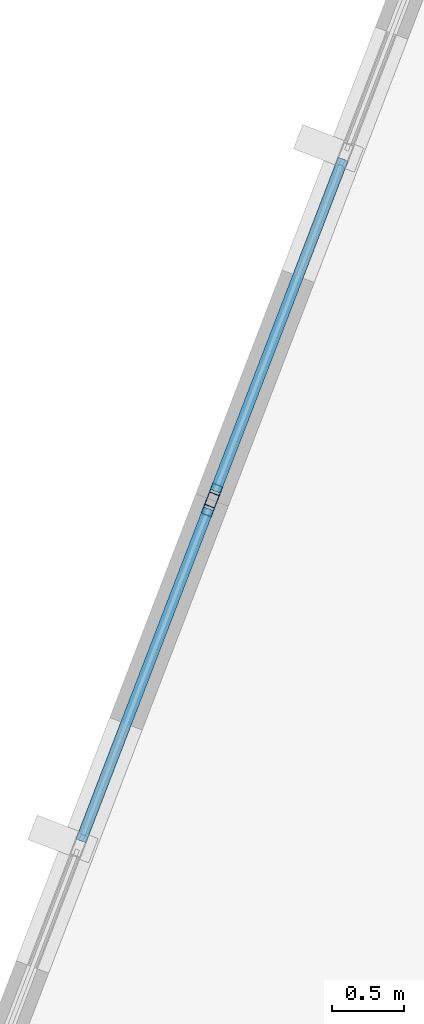
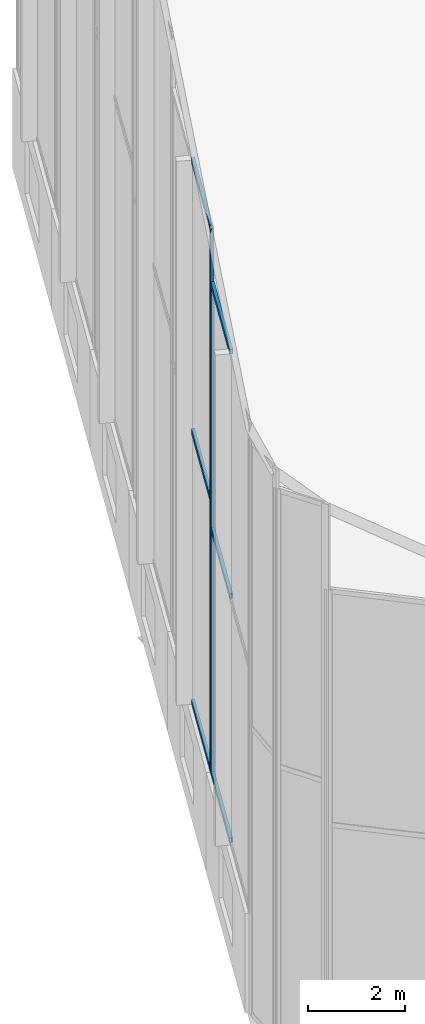
# One storey, part 13 of 74: 8 members, 2 elements without a shape of their own.
"""IFC4 building model written with IfcOpenShell, lengths in metres."""

from ifc_helpers import new_model, si_unit, direction, frame, origin, origin_2d, place, context, subcontext, project, spatial, hollow_rectangle, extrude, material, layer, layer_set, material_profile, profile_set, type_object, element, aggregate, save


model = new_model("IFC4")

# Units and contexts
model_context = context("Model", 3, precision=1e-05, world=origin(), true_north=direction((0.0, 1.0)))
body_context = subcontext(model_context, "Body", "Model", "MODEL_VIEW")
ifc_project = project(units=[si_unit("LENGTHUNIT", "METRE"), si_unit("AREAUNIT", "SQUARE_METRE"), si_unit("VOLUMEUNIT", "CUBIC_METRE"), si_unit("PLANEANGLEUNIT", "RADIAN"), si_unit("MASSUNIT", "GRAM", prefix="KILO")], contexts=[model_context])

# Site, building, storey
site_placement = place(None, origin())
site = spatial("IfcSite", under=ifc_project, at=site_placement, CompositionType="ELEMENT")
building_placement = place(site_placement, origin())
building = spatial("IfcBuilding", under=site, at=building_placement, Name="Keshet Zoharim Tower", CompositionType="ELEMENT")
storey_placement = place(building_placement, frame((0.0, 0.0, 320.0)))
storey = spatial("IfcBuildingStorey", under=building, at=storey_placement, Name="RF", CompositionType="ELEMENT", Elevation=320.0)

# Curtain wall, member
ifc_material = material(Name="Aluminium 6063-T6", Category="aluminium")
ifc_layer = layer(ifc_material, 0.260009765625)
ifc_layer_set = layer_set([ifc_layer], Name="Aluminium 6063-T6")
curtain_wall_type = type_object("IfcCurtainWallType", Name="CW-SYS-06", PredefinedType="NOTDEFINED", material=ifc_layer_set)
curtain_wall_1_placement = place(storey_placement, origin())
curtain_wall_1 = element("IfcCurtainWall", 1, at=curtain_wall_1_placement, inside=storey, type_object=curtain_wall_type, Name="Slanted Crown Curtain Wall 03", PredefinedType="NOTDEFINED")
ifc_material_profile_1 = material_profile(ifc_material, hollow_rectangle(XDim=0.074951171875, YDim=0.159912109375, WallThickness=0.00390625, at=origin_2d()), Name="MUL-75x160")
ifc_profile_set_1 = profile_set([ifc_material_profile_1], Name="Aluminium 6063-T6")
member_type_1 = type_object("IfcMemberType", Name="CWM-M15", PredefinedType="MULLION", material=ifc_profile_set_1)
member_1_placement = place(storey_placement, frame((5.3203125, 28.733642578125, 2.5), z_axis=(0.0, 0.0, 1.0), x_axis=(-0.933345606206, 0.358979079302, 0.0)))
member_1 = element("IfcMember", 2, at=member_1_placement, type_object=member_type_1, Name="CW-06 mullion 3", PredefinedType="MULLION", context=body_context, shape_type="SweptSolid", body=[
    extrude(hollow_rectangle(XDim=0.074951171875, YDim=0.159912109375, WallThickness=0.00390625, at=origin_2d()), origin(), (0.0, 0.0, 1.0), 12.326904296875),
])

curtain_wall_2_placement = place(storey_placement, origin())
curtain_wall_2 = element("IfcCurtainWall", 3, at=curtain_wall_2_placement, inside=storey, type_object=curtain_wall_type, Name="Slanted Crown Curtain Wall 04", PredefinedType="NOTDEFINED")
member_2_placement = place(storey_placement, frame((5.34375, 28.79443359375, 2.5), z_axis=(0.0, 0.0, 1.0), x_axis=(-0.933345606206, 0.358979079302, 0.0)))
member_2 = element("IfcMember", 4, at=member_2_placement, type_object=member_type_1, Name="CW-06 mullion 1", PredefinedType="MULLION", context=body_context, shape_type="SweptSolid", body=[
    extrude(hollow_rectangle(XDim=0.074951171875, YDim=0.159912109375, WallThickness=0.00390625, at=origin_2d()), origin(), (0.0, 0.0, 1.0), 13.654052734375),
])

# Member
ifc_material_profile_2 = material_profile(ifc_material, hollow_rectangle(XDim=0.074951171875, YDim=0.1201171875, WallThickness=0.00390625, at=origin_2d()), Name="TRN-75x120")
ifc_profile_set_2 = profile_set([ifc_material_profile_2], Name="Aluminium 6063-T6")
member_type_2 = type_object("IfcMemberType", Name="CWT-T12", PredefinedType="USERDEFINED", material=ifc_profile_set_2)
member_3_placement = place(storey_placement, frame((4.42626953125, 26.408935546875, 2.532470703125), z_axis=(0.358925837482, 0.933366082086, 0.0), x_axis=(-0.933366082086, 0.358925837482, 0.0)))
member_3 = element("IfcMember", 5, at=member_3_placement, type_object=member_type_2, Name="CW-06 transom 2.1", ObjectType="TRANSOM", PredefinedType="USERDEFINED", context=body_context, shape_type="SweptSolid", body=[
    extrude(hollow_rectangle(XDim=0.074951171875, YDim=0.1201171875, WallThickness=0.00390625, at=origin_2d()), origin(), (0.0, 0.0, 1.0), 2.458251953125),
])

member_4_placement = place(storey_placement, frame((4.42626953125, 26.408935546875, 8.6630859375), z_axis=(0.358925837482, 0.933366082086, 0.0), x_axis=(-0.933366082086, 0.358925837482, 0.0)))
member_4 = element("IfcMember", 6, at=member_4_placement, type_object=member_type_2, Name="CW-06 transom 2.2", ObjectType="TRANSOM", PredefinedType="USERDEFINED", context=body_context, shape_type="SweptSolid", body=[
    extrude(hollow_rectangle(XDim=0.074951171875, YDim=0.1201171875, WallThickness=0.00390625, at=origin_2d()), origin(), (0.0, 0.0, 1.0), 2.458251953125),
])

member_5_placement = place(storey_placement, frame((4.42626953125, 26.408935546875, 14.79443359375), z_axis=(0.358925837482, 0.933366082086, 0.0), x_axis=(-0.933366082086, 0.358925837482, 0.0)))
member_5 = element("IfcMember", 7, at=member_5_placement, type_object=member_type_2, Name="CW-06 transom 2.3", ObjectType="TRANSOM", PredefinedType="USERDEFINED", context=body_context, shape_type="SweptSolid", body=[
    extrude(hollow_rectangle(XDim=0.074951171875, YDim=0.1201171875, WallThickness=0.00390625, at=origin_2d()), origin(), (0.0, 0.0, 1.0), 2.458251953125),
])

aggregate(curtain_wall_1, [member_1, member_3, member_4, member_5])

member_6_placement = place(storey_placement, frame((5.355224609375, 28.82470703125, 2.532470703125), z_axis=(0.359012353671, 0.933332807691, 0.0), x_axis=(-0.933332807691, 0.359012353671, 0.0)))
member_6 = element("IfcMember", 8, at=member_6_placement, type_object=member_type_2, Name="CW-06 transom 1.1", ObjectType="TRANSOM", PredefinedType="USERDEFINED", context=body_context, shape_type="SweptSolid", body=[
    extrude(hollow_rectangle(XDim=0.074951171875, YDim=0.1201171875, WallThickness=0.00390625, at=origin_2d()), origin(), (0.0, 0.0, 1.0), 2.458251953125),
])

member_7_placement = place(storey_placement, frame((5.355224609375, 28.82470703125, 9.326904296875), z_axis=(0.359012353671, 0.933332807691, 0.0), x_axis=(-0.933332807691, 0.359012353671, 0.0)))
member_7 = element("IfcMember", 9, at=member_7_placement, type_object=member_type_2, Name="CW-06 transom 1.2", ObjectType="TRANSOM", PredefinedType="USERDEFINED", context=body_context, shape_type="SweptSolid", body=[
    extrude(hollow_rectangle(XDim=0.074951171875, YDim=0.1201171875, WallThickness=0.00390625, at=origin_2d()), origin(), (0.0, 0.0, 1.0), 2.458251953125),
])

member_8_placement = place(storey_placement, frame((5.355224609375, 28.82470703125, 16.12158203125), z_axis=(0.359012353671, 0.933332807691, 0.0), x_axis=(-0.933332807691, 0.359012353671, 0.0)))
member_8 = element("IfcMember", 10, at=member_8_placement, type_object=member_type_2, Name="CW-06 transom 1.3", ObjectType="TRANSOM", PredefinedType="USERDEFINED", context=body_context, shape_type="SweptSolid", body=[
    extrude(hollow_rectangle(XDim=0.074951171875, YDim=0.1201171875, WallThickness=0.00390625, at=origin_2d()), origin(), (0.0, 0.0, 1.0), 2.458251953125),
])

aggregate(curtain_wall_2, [member_2, member_6, member_7, member_8])

save(model, "model.ifc")
